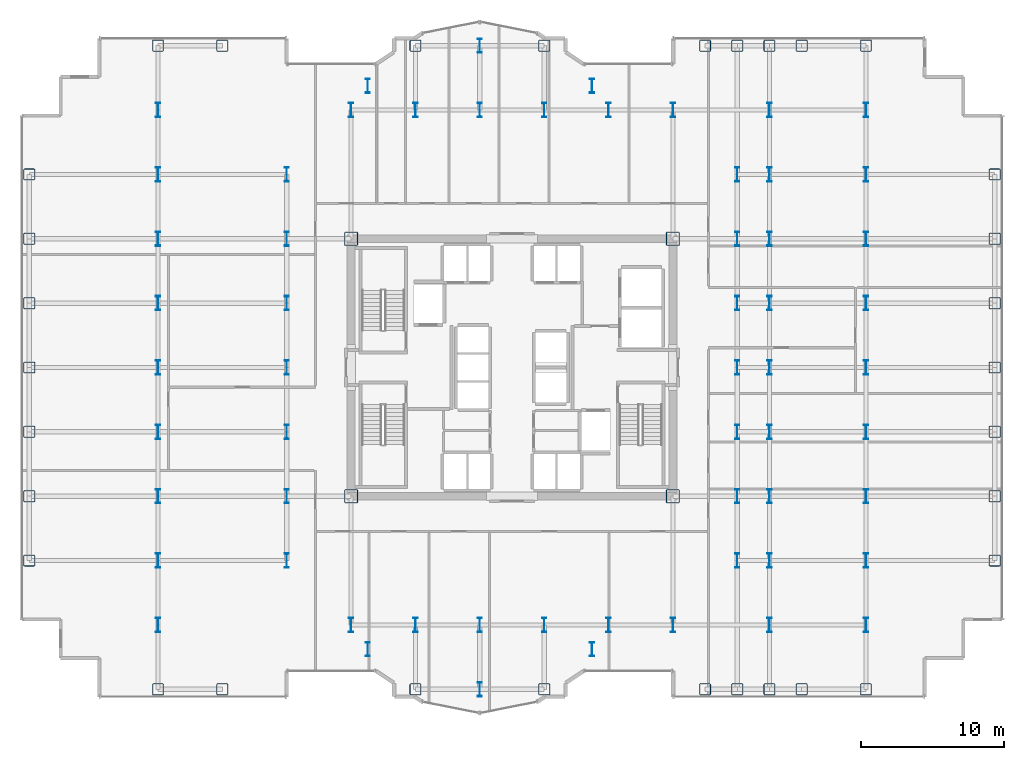
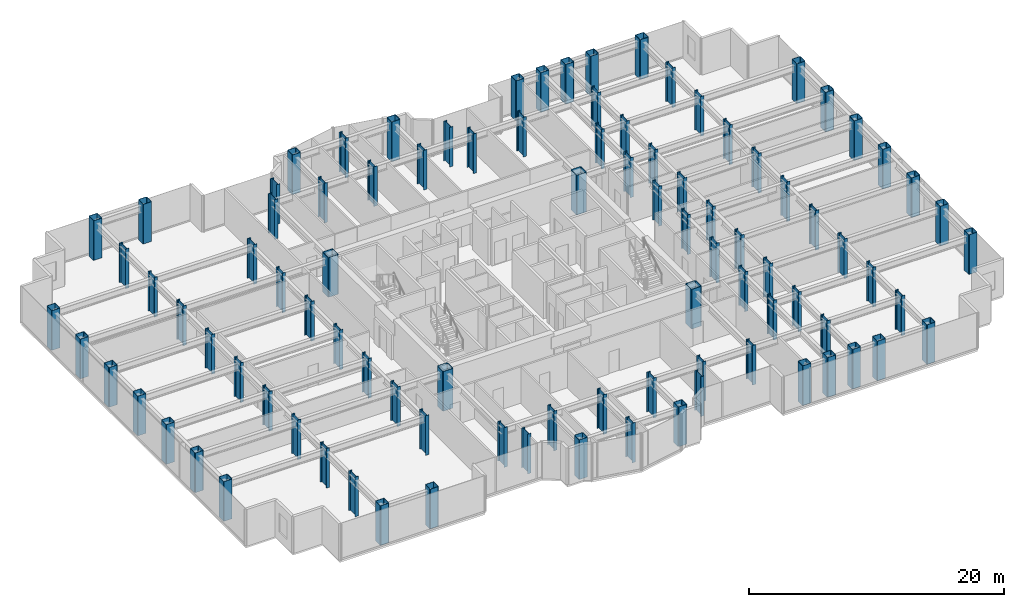
# One storey, part 1 of 26: 95 columns.
"""IFC4 building model written with IfcOpenShell, lengths in metres."""

from ifc_helpers import new_model, si_unit, direction, frame, origin, origin_2d, place, context, subcontext, project, spatial, hollow_rectangle, i_section, extrude, source, transform, mapped, material, material_profile, profile_set, type_object, element, save


model = new_model("IFC4")

# Units and contexts
model_context = context("Model", 3, precision=1e-05, world=origin(), true_north=direction((0.0, 1.0)))
body_context = subcontext(model_context, "Body", "Model", "MODEL_VIEW")
ifc_project = project(units=[si_unit("LENGTHUNIT", "METRE"), si_unit("AREAUNIT", "SQUARE_METRE"), si_unit("VOLUMEUNIT", "CUBIC_METRE"), si_unit("PLANEANGLEUNIT", "RADIAN"), si_unit("MASSUNIT", "GRAM", prefix="KILO")], contexts=[model_context])

# Site, building, storey
site_placement = place(None, origin())
site = spatial("IfcSite", under=ifc_project, at=site_placement, CompositionType="ELEMENT")
building_placement = place(site_placement, origin())
building = spatial("IfcBuilding", under=site, at=building_placement, Name="Nefas-Gora Pilgrimage Tower", CompositionType="ELEMENT")
storey_placement = place(building_placement, frame((0.0, 0.0, 140.199951171875)))
storey = spatial("IfcBuildingStorey", under=building, at=storey_placement, Name="L34", CompositionType="ELEMENT", Elevation=140.199951171875)

# Columns
ifc_material = material(Name="Steel S460", Category="steel")
ifc_material_profile_1 = material_profile(ifc_material, i_section(OverallWidth=0.302001953125, OverallDepth=1.008056640625, WebThickness=0.02099609375, FlangeThickness=0.0400390625, FilletRadius=0.030029296875, at=origin_2d()), Name="HEM 1000")
ifc_profile_set_1 = profile_set([ifc_material_profile_1], Name="Steel S460")
column_type_1 = type_object("IfcColumnType", Name="COL-WEB-HEM1000", PredefinedType="COLUMN", material=ifc_profile_set_1)
shared_shape_1 = source(origin(), body_context, "Body", "SweptSolid", [
    extrude(i_section(OverallWidth=0.302001953125, OverallDepth=1.008056640625, WebThickness=0.02099609375, FlangeThickness=0.0400390625, FilletRadius=0.030029296875, at=origin_2d()), origin(), (0.0, 0.0, 1.0), 3.800048828125),
])
for number, where, z_axis, x_axis, name in (
    (1, (-24.75, -18.0, 0.0), (0.0, 0.0, 1.0), (1.0, 0.0, 0.0), "L34 Tower Column CW-01.9"),
    (2, (-24.75, -13.5, 0.0), (0.0, 0.0, 1.0), (1.0, 0.0, 0.0), "L34 Tower Column CW-01.10"),
    (3, (-24.75, -9.0, 0.0), (0.0, 0.0, 1.0), (1.0, 0.0, 0.0), "L34 Tower Column CW-01.11"),
    (4, (-24.75, -4.5, 0.0), (0.0, 0.0, 1.0), (1.0, 0.0, 0.0), "L34 Tower Column CW-01.12"),
    (5, (-24.75, 0.0, 0.0), (0.0, 0.0, 1.0), (1.0, 0.0, 0.0), "L34 Tower Column CW-01.13"),
    (6, (-24.75, 4.5, 0.0), (0.0, 0.0, 1.0), (1.0, 0.0, 0.0), "L34 Tower Column CW-01.14"),
    (7, (-24.75, 9.0, 0.0), (0.0, 0.0, 1.0), (1.0, 0.0, 0.0), "L34 Tower Column CW-01.15"),
    (8, (-24.75, 13.5, 0.0), (0.0, 0.0, 1.0), (1.0, 0.0, 0.0), "L34 Tower Column CW-01.16"),
    (9, (-24.75, 18.0, 0.0), (0.0, 0.0, 1.0), (1.0, 0.0, 0.0), "L34 Tower Column CW-01.17"),
    (10, (-15.75, -13.5, 0.0), (0.0, 0.0, 1.0), (1.0, 0.0, 0.0), "L34 Tower Column CW-01.21"),
    (11, (-15.75, -9.0, 0.0), (0.0, 0.0, 1.0), (1.0, 0.0, 0.0), "L34 Tower Column CW-01.22"),
    (12, (-15.75, -4.5, 0.0), (0.0, 0.0, 1.0), (1.0, 0.0, 0.0), "L34 Tower Column CW-01.23"),
    (13, (-15.75, 0.0, 0.0), (0.0, 0.0, 1.0), (1.0, 0.0, 0.0), "L34 Tower Column CW-01.24"),
    (14, (-15.75, 4.5, 0.0), (0.0, 0.0, 1.0), (1.0, 0.0, 0.0), "L34 Tower Column CW-01.25"),
    (15, (-15.75, 9.0, 0.0), (0.0, 0.0, 1.0), (1.0, 0.0, 0.0), "L34 Tower Column CW-01.26"),
    (16, (-15.75, 13.5, 0.0), (0.0, 0.0, 1.0), (1.0, 0.0, 0.0), "L34 Tower Column CW-01.27"),
    (17, (-11.25, -18.0, 0.0), (0.0, 0.0, 1.0), (1.0, 0.0, 0.0), "L34 Tower Column CW-01.28"),
    (18, (-11.25, 18.0, 0.0), (0.0, 0.0, 1.0), (1.0, 0.0, 0.0), "L34 Tower Column CW-01.31"),
    (19, (-10.091064453125, -19.696044921875, 0.0), (0.0, 0.0, 1.0), (1.0, 0.0, 0.0), "L34 Tower Column CW-01.32"),
    (20, (-10.091064453125, 19.696044921875, 0.0), (0.0, 0.0, 1.0), (1.0, 0.0, 0.0), "L34 Tower Column CW-01.33"),
    (21, (-6.75, -18.0, 0.0), (0.0, 0.0, 1.0), (1.0, 0.0, 0.0), "L34 Tower Column CW-01.35"),
    (22, (-6.75, 18.0, 0.0), (0.0, 0.0, 1.0), (1.0, 0.0, 0.0), "L34 Tower Column CW-01.36"),
    (23, (-2.25, -22.5, 0.0), (0.0, 0.0, 1.0), (1.0, 0.0, 0.0), "L34 Tower Column CW-01.38"),
    (24, (-2.25, -18.0, 0.0), (0.0, 0.0, 1.0), (1.0, 0.0, 0.0), "L34 Tower Column CW-01.39"),
    (25, (-2.25, 18.0, 0.0), (0.0, 0.0, 1.0), (1.0, 0.0, 0.0), "L34 Tower Column CW-01.40"),
    (26, (-2.25, 22.5, 0.0), (0.0, 0.0, 1.0), (1.0, 0.0, 0.0), "L34 Tower Column CW-01.41"),
    (27, (2.25, -18.0, 0.0), (0.0, 0.0, 1.0), (1.0, 0.0, 0.0), "L34 Tower Column CW-01.43"),
    (28, (2.25, 18.0, 0.0), (0.0, 0.0, 1.0), (1.0, 0.0, 0.0), "L34 Tower Column CW-01.44"),
    (29, (5.591064453125, -19.696044921875, 0.0), (0.0, 0.0, 1.0), (1.0, 0.0, 0.0), "L34 Tower Column CW-01.46"),
    (30, (5.591064453125, 19.696044921875, 0.0), (0.0, 0.0, 1.0), (1.0, 0.0, 0.0), "L34 Tower Column CW-01.47"),
    (31, (6.75, -18.0, 0.0), (0.0, 0.0, 1.0), (1.0, 0.0, 0.0), "L34 Tower Column CW-01.48"),
    (32, (6.75, 18.0, 0.0), (0.0, 0.0, 1.0), (1.0, 0.0, 0.0), "L34 Tower Column CW-01.49"),
    (33, (11.25, -18.0, 0.0), (0.0, 0.0, 1.0), (1.0, 0.0, 0.0), "L34 Tower Column CW-01.50"),
    (34, (11.25, 18.0, 0.0), (0.0, 0.0, 1.0), (1.0, 0.0, 0.0), "L34 Tower Column CW-01.53"),
    (35, (15.75, -13.5, 0.0), (0.0, 0.0, 1.0), (1.0, 0.0, 0.0), "L34 Tower Column CW-01.57"),
    (36, (15.75, -9.0, 0.0), (0.0, 0.0, 1.0), (1.0, 0.0, 0.0), "L34 Tower Column CW-01.58"),
    (37, (15.75, -4.5, 0.0), (0.0, 0.0, 1.0), (1.0, 0.0, 0.0), "L34 Tower Column CW-01.59"),
    (38, (15.75, 0.0, 0.0), (0.0, 0.0, 1.0), (1.0, 0.0, 0.0), "L34 Tower Column CW-01.60"),
    (39, (15.75, 4.5, 0.0), (0.0, 0.0, 1.0), (1.0, 0.0, 0.0), "L34 Tower Column CW-01.61"),
    (40, (15.75, 9.0, 0.0), (0.0, 0.0, 1.0), (1.0, 0.0, 0.0), "L34 Tower Column CW-01.62"),
    (41, (15.75, 13.5, 0.0), (0.0, 0.0, 1.0), (1.0, 0.0, 0.0), "L34 Tower Column CW-01.63"),
    (42, (18.0, -18.0, 0.0), (0.0, 0.0, 1.0), (1.0, 0.0, 0.0), "L34 Tower Column CW-01.66"),
    (43, (18.0, -13.5, 0.0), (0.0, 0.0, 1.0), (1.0, 0.0, 0.0), "L34 Tower Column CW-01.67"),
    (44, (18.0, -9.0, 0.0), (0.0, 0.0, 1.0), (1.0, 0.0, 0.0), "L34 Tower Column CW-01.68"),
    (45, (18.0, -4.5, 0.0), (0.0, 0.0, 1.0), (1.0, 0.0, 0.0), "L34 Tower Column CW-01.69"),
    (46, (18.0, 0.0, 0.0), (0.0, 0.0, 1.0), (1.0, 0.0, 0.0), "L34 Tower Column CW-01.70"),
    (47, (18.0, 4.5, 0.0), (0.0, 0.0, 1.0), (1.0, 0.0, 0.0), "L34 Tower Column CW-01.71"),
    (48, (18.0, 9.0, 0.0), (0.0, 0.0, 1.0), (1.0, 0.0, 0.0), "L34 Tower Column CW-01.72"),
    (49, (18.0, 13.5, 0.0), (0.0, 0.0, 1.0), (1.0, 0.0, 0.0), "L34 Tower Column CW-01.73"),
    (50, (18.0, 18.0, 0.0), (0.0, 0.0, 1.0), (1.0, 0.0, 0.0), "L34 Tower Column CW-01.74"),
    (51, (24.75, -18.0, 0.0), (0.0, 0.0, 1.0), (1.0, 0.0, 0.0), "L34 Tower Column CW-01.79"),
    (52, (24.75, -13.5, 0.0), (0.0, 0.0, 1.0), (1.0, 0.0, 0.0), "L34 Tower Column CW-01.80"),
    (53, (24.75, -9.0, 0.0), (0.0, 0.0, 1.0), (1.0, 0.0, 0.0), "L34 Tower Column CW-01.81"),
    (54, (24.75, -4.5, 0.0), (0.0, 0.0, 1.0), (1.0, 0.0, 0.0), "L34 Tower Column CW-01.82"),
    (55, (24.75, 0.0, 0.0), (0.0, 0.0, 1.0), (1.0, 0.0, 0.0), "L34 Tower Column CW-01.83"),
    (56, (24.75, 4.5, 0.0), (0.0, 0.0, 1.0), (1.0, 0.0, 0.0), "L34 Tower Column CW-01.84"),
    (57, (24.75, 9.0, 0.0), (0.0, 0.0, 1.0), (1.0, 0.0, 0.0), "L34 Tower Column CW-01.85"),
    (58, (24.75, 13.5, 0.0), (0.0, 0.0, 1.0), (1.0, 0.0, 0.0), "L34 Tower Column CW-01.86"),
    (59, (24.75, 18.0, 0.0), (0.0, 0.0, 1.0), (1.0, 0.0, 0.0), "L34 Tower Column CW-01.87"),
):
    element("IfcColumn", number, at=place(storey_placement, frame(where, z_axis=z_axis, x_axis=x_axis)), inside=storey, type_object=column_type_1, Name=name, PredefinedType="COLUMN", context=body_context, shape_type="MappedRepresentation", body=[
        mapped(shared_shape_1, transform((0.0, 0.0, 0.0), x_axis=(1.0, 0.0, 0.0), y_axis=(0.0, 1.0, 0.0), z_axis=(0.0, 0.0, 1.0), scale=1.0)),
    ])
ifc_material_profile_2 = material_profile(ifc_material, hollow_rectangle(XDim=0.949951171875, YDim=0.949951171875, WallThickness=0.044921875, InnerFilletRadius=0.044921875, OuterFilletRadius=0.090087890625, at=origin_2d()), Name="BOX 950x950x45")
ifc_profile_set_2 = profile_set([ifc_material_profile_2], Name="Steel S460")
column_type_2 = type_object("IfcColumnType", Name="COL-CORE-950", PredefinedType="COLUMN", material=ifc_profile_set_2)
shared_shape_2 = source(origin(), body_context, "Body", "SweptSolid", [
    extrude(hollow_rectangle(XDim=0.949951171875, YDim=0.949951171875, WallThickness=0.044921875, InnerFilletRadius=0.044921875, OuterFilletRadius=0.090087890625, at=origin_2d()), origin(), (0.0, 0.0, 1.0), 3.800048828125),
])
for number, where, z_axis, x_axis, name in (
    (60, (-11.25, -9.0, 0.0), (0.0, 0.0, 1.0), (1.0, 0.0, 0.0), "L34 Tower Column CC-Z1.29"),
    (61, (-11.25, 9.0, 0.0), (0.0, 0.0, 1.0), (1.0, 0.0, 0.0), "L34 Tower Column CC-Z1.30"),
    (62, (11.25, -9.0, 0.0), (0.0, 0.0, 1.0), (1.0, 0.0, 0.0), "L34 Tower Column CC-Z1.51"),
    (63, (11.25, 9.0, 0.0), (0.0, 0.0, 1.0), (1.0, 0.0, 0.0), "L34 Tower Column CC-Z1.52"),
):
    element("IfcColumn", number, at=place(storey_placement, frame(where, z_axis=z_axis, x_axis=x_axis)), inside=storey, type_object=column_type_2, Name=name, PredefinedType="COLUMN", context=body_context, shape_type="MappedRepresentation", body=[
        mapped(shared_shape_2, transform((0.0, 0.0, 0.0), x_axis=(1.0, 0.0, 0.0), y_axis=(0.0, 1.0, 0.0), z_axis=(0.0, 0.0, 1.0), scale=1.0)),
    ])
ifc_material_profile_3 = material_profile(ifc_material, hollow_rectangle(XDim=0.800048828125, YDim=0.800048828125, WallThickness=0.0400390625, InnerFilletRadius=0.0400390625, OuterFilletRadius=0.080078125, at=origin_2d()), Name="BOX 800x800x40")
ifc_profile_set_3 = profile_set([ifc_material_profile_3], Name="Steel S460")
column_type_3 = type_object("IfcColumnType", Name="COL-TUBE-800", PredefinedType="COLUMN", material=ifc_profile_set_3)
shared_shape_3 = source(origin(), body_context, "Body", "SweptSolid", [
    extrude(hollow_rectangle(XDim=0.800048828125, YDim=0.800048828125, WallThickness=0.0400390625, InnerFilletRadius=0.0400390625, OuterFilletRadius=0.080078125, at=origin_2d()), origin(), (0.0, 0.0, 1.0), 3.800048828125),
])
for number, where, z_axis, x_axis, name in (
    (64, (-33.75, -13.5, 0.0), (0.0, 0.0, 1.0), (1.0, 0.0, 0.0), "L34 Tower Column C-Z2.1"),
    (65, (-33.75, -9.0, 0.0), (0.0, 0.0, 1.0), (1.0, 0.0, 0.0), "L34 Tower Column C-Z2.2"),
    (66, (-33.75, -4.5, 0.0), (0.0, 0.0, 1.0), (1.0, 0.0, 0.0), "L34 Tower Column C-Z2.3"),
    (67, (-33.75, 0.0, 0.0), (0.0, 0.0, 1.0), (1.0, 0.0, 0.0), "L34 Tower Column C-Z2.4"),
    (68, (-33.75, 4.5, 0.0), (0.0, 0.0, 1.0), (1.0, 0.0, 0.0), "L34 Tower Column C-Z2.5"),
    (69, (-33.75, 9.0, 0.0), (0.0, 0.0, 1.0), (1.0, 0.0, 0.0), "L34 Tower Column C-Z2.6"),
    (70, (-33.75, 13.5, 0.0), (0.0, 0.0, 1.0), (1.0, 0.0, 0.0), "L34 Tower Column C-Z2.7"),
    (71, (-24.75, -22.5, 0.0), (0.0, 0.0, 1.0), (1.0, 0.0, 0.0), "L34 Tower Column C-Z2.8"),
    (72, (-24.75, 22.5, 0.0), (0.0, 0.0, 1.0), (1.0, 0.0, 0.0), "L34 Tower Column C-Z2.18"),
    (73, (-20.25, -22.5, 0.0), (0.0, 0.0, 1.0), (1.0, 0.0, 0.0), "L34 Tower Column C-Z2.19"),
    (74, (-20.25, 22.5, 0.0), (0.0, 0.0, 1.0), (1.0, 0.0, 0.0), "L34 Tower Column C-Z2.20"),
    (75, (-6.75, -22.5, 0.0), (0.0, 0.0, 1.0), (1.0, 0.0, 0.0), "L34 Tower Column C-Z2.34"),
    (76, (-6.75, 22.5, 0.0), (0.0, 0.0, 1.0), (1.0, 0.0, 0.0), "L34 Tower Column C-Z2.37"),
    (77, (2.25, -22.5, 0.0), (0.0, 0.0, 1.0), (1.0, 0.0, 0.0), "L34 Tower Column C-Z2.42"),
    (78, (2.25, 22.5, 0.0), (0.0, 0.0, 1.0), (1.0, 0.0, 0.0), "L34 Tower Column C-Z2.45"),
    (79, (13.5, -22.5, 0.0), (0.0, 0.0, 1.0), (1.0, 0.0, 0.0), "L34 Tower Column C-Z2.54"),
    (80, (13.5, 22.5, 0.0), (0.0, 0.0, 1.0), (1.0, 0.0, 0.0), "L34 Tower Column C-Z2.55"),
    (81, (15.75, -22.5, 0.0), (0.0, 0.0, 1.0), (1.0, 0.0, 0.0), "L34 Tower Column C-Z2.56"),
    (82, (15.75, 22.5, 0.0), (0.0, 0.0, 1.0), (1.0, 0.0, 0.0), "L34 Tower Column C-Z2.64"),
    (83, (18.0, -22.5, 0.0), (0.0, 0.0, 1.0), (1.0, 0.0, 0.0), "L34 Tower Column C-Z2.65"),
    (84, (18.0, 22.5, 0.0), (0.0, 0.0, 1.0), (1.0, 0.0, 0.0), "L34 Tower Column C-Z2.75"),
    (85, (20.25, -22.5, 0.0), (0.0, 0.0, 1.0), (1.0, 0.0, 0.0), "L34 Tower Column C-Z2.76"),
    (86, (20.25, 22.5, 0.0), (0.0, 0.0, 1.0), (1.0, 0.0, 0.0), "L34 Tower Column C-Z2.77"),
    (87, (24.75, -22.5, 0.0), (0.0, 0.0, 1.0), (1.0, 0.0, 0.0), "L34 Tower Column C-Z2.78"),
    (88, (24.75, 22.5, 0.0), (0.0, 0.0, 1.0), (1.0, 0.0, 0.0), "L34 Tower Column C-Z2.88"),
    (89, (33.75, -13.5, 0.0), (0.0, 0.0, 1.0), (1.0, 0.0, 0.0), "L34 Tower Column C-Z2.89"),
    (90, (33.75, -9.0, 0.0), (0.0, 0.0, 1.0), (1.0, 0.0, 0.0), "L34 Tower Column C-Z2.90"),
    (91, (33.75, -4.5, 0.0), (0.0, 0.0, 1.0), (1.0, 0.0, 0.0), "L34 Tower Column C-Z2.91"),
    (92, (33.75, 0.0, 0.0), (0.0, 0.0, 1.0), (1.0, 0.0, 0.0), "L34 Tower Column C-Z2.92"),
    (93, (33.75, 4.5, 0.0), (0.0, 0.0, 1.0), (1.0, 0.0, 0.0), "L34 Tower Column C-Z2.93"),
    (94, (33.75, 9.0, 0.0), (0.0, 0.0, 1.0), (1.0, 0.0, 0.0), "L34 Tower Column C-Z2.94"),
    (95, (33.75, 13.5, 0.0), (0.0, 0.0, 1.0), (1.0, 0.0, 0.0), "L34 Tower Column C-Z2.95"),
):
    element("IfcColumn", number, at=place(storey_placement, frame(where, z_axis=z_axis, x_axis=x_axis)), inside=storey, type_object=column_type_3, Name=name, PredefinedType="COLUMN", context=body_context, shape_type="MappedRepresentation", body=[
        mapped(shared_shape_3, transform((0.0, 0.0, 0.0), x_axis=(1.0, 0.0, 0.0), y_axis=(0.0, 1.0, 0.0), z_axis=(0.0, 0.0, 1.0), scale=1.0)),
    ])

save(model, "model.ifc")
